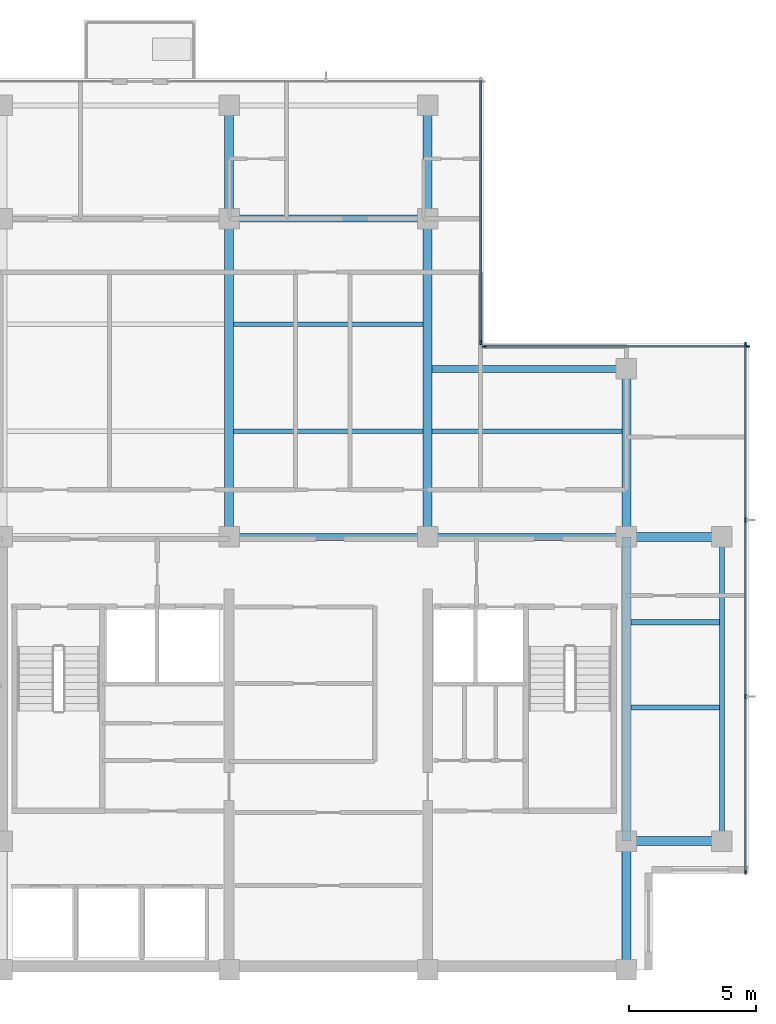
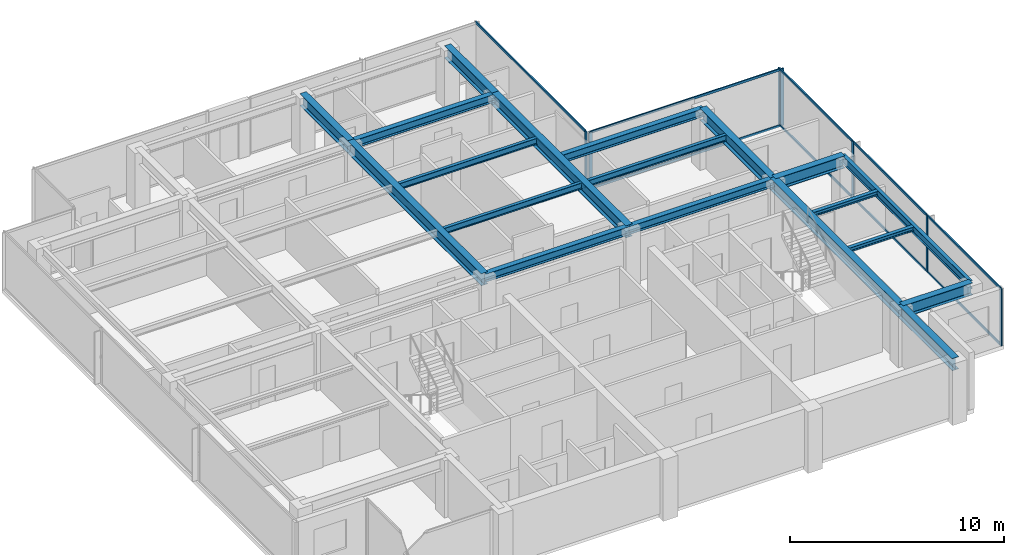
# One storey, part 3 of 11: 19 beams, 17 members, 3 elements without a shape of their own.
"""IFC4 building model written with IfcOpenShell, lengths in metres."""

from ifc_helpers import new_model, si_unit, direction, frame, origin, origin_2d, place, context, subcontext, project, spatial, rectangle, i_section, extrude, material, layer, layer_set, material_profile, profile_set, type_object, element, aggregate, save


model = new_model("IFC4")

# Units and contexts
model_context = context("Model", 3, precision=1e-05, world=origin(), true_north=direction((0.0, 1.0)))
body_context = subcontext(model_context, "Body", "Model", "MODEL_VIEW")
ifc_project = project(units=[si_unit("LENGTHUNIT", "METRE"), si_unit("AREAUNIT", "SQUARE_METRE"), si_unit("VOLUMEUNIT", "CUBIC_METRE"), si_unit("PLANEANGLEUNIT", "RADIAN"), si_unit("MASSUNIT", "GRAM", prefix="KILO")], contexts=[model_context])

# Site, building, storey
site_placement = place(None, origin())
site = spatial("IfcSite", under=ifc_project, at=site_placement, CompositionType="ELEMENT")
building_placement = place(site_placement, origin())
building = spatial("IfcBuilding", under=site, at=building_placement, Name="Qalmaran Belvedere Hotel", CompositionType="ELEMENT")
storey_placement = place(building_placement, frame((0.0, 0.0, 245.89990234375)))
storey = spatial("IfcBuildingStorey", under=building, at=storey_placement, Name="L63", CompositionType="ELEMENT", Elevation=245.89990234375)

# Beams
ifc_material_1 = material(Name="Steel S355JR", Category="steel")
ifc_material_profile_1 = material_profile(ifc_material_1, i_section(OverallWidth=0.201904296875, OverallDepth=0.2470703125, WebThickness=0.00732421875, FlangeThickness=0.010986328125, FilletRadius=0.011962890625, at=origin_2d()), Name="W250X49")
ifc_profile_set_1 = profile_set([ifc_material_profile_1], Name="Steel S355JR")
beam_type_1 = type_object("IfcBeamType", Name="BM-JST-W250X49", PredefinedType="JOIST", material=ifc_profile_set_1)
for number, where, z_axis, x_axis, name in (
    (1, (44.9755859375, 13.800048828125, 3.13671875), (1.0, 0.0, 0.0), (0.0, 1.0, 0.0), "L63 East Wing Joist 032"),
    (2, (44.9755859375, 17.14990234375, 3.13671875), (1.0, 0.0, 0.0), (0.0, 1.0, 0.0), "L63 East Wing Joist 034"),
):
    element("IfcBeam", number, at=place(storey_placement, frame(where, z_axis=z_axis, x_axis=x_axis)), inside=storey, type_object=beam_type_1, Name=name, PredefinedType="JOIST", context=body_context, shape_type="SweptSolid", body=[
        extrude(i_section(OverallWidth=0.201904296875, OverallDepth=0.2470703125, WebThickness=0.00732421875, FlangeThickness=0.010986328125, FilletRadius=0.011962890625, at=origin_2d()), origin(), (0.0, 0.0, 1.0), 3.48046875),
    ])
ifc_material_profile_2 = material_profile(ifc_material_1, i_section(OverallWidth=0.172119140625, OverallDepth=0.35791015625, WebThickness=0.0078125, FlangeThickness=0.01318359375, FilletRadius=0.014892578125, at=origin_2d()), Name="W360X57")
ifc_profile_set_2 = profile_set([ifc_material_profile_2], Name="Steel S355JR")
beam_type_2 = type_object("IfcBeamType", Name="BM-SB4-W360X57", PredefinedType="BEAM", material=ifc_profile_set_2)
for number, where, z_axis, x_axis, name in (
    (3, (29.37548828125, 24.64990234375, 3.0810546875), (1.0, 0.0, 0.0), (0.0, 1.0, 0.0), "L63 Secondary Floor Beam 026"),
    (4, (37.175537109375, 24.64990234375, 3.0810546875), (1.0, 0.0, 0.0), (0.0, 1.0, 0.0), "L63 Secondary Floor Beam 027"),
    (5, (29.37548828125, 28.85009765625, 3.0810546875), (1.0, 0.0, 0.0), (0.0, 1.0, 0.0), "L63 Secondary Floor Beam 030"),
):
    element("IfcBeam", number, at=place(storey_placement, frame(where, z_axis=z_axis, x_axis=x_axis)), inside=storey, type_object=beam_type_2, Name=name, PredefinedType="BEAM", context=body_context, shape_type="SweptSolid", body=[
        extrude(i_section(OverallWidth=0.172119140625, OverallDepth=0.35791015625, WebThickness=0.0078125, FlangeThickness=0.01318359375, FilletRadius=0.014892578125, at=origin_2d()), origin(), (0.0, 0.0, 1.0), 7.448974609375),
    ])
ifc_material_profile_3 = material_profile(ifc_material_1, i_section(OverallWidth=0.19189453125, OverallDepth=0.462890625, WebThickness=0.010498046875, FlangeThickness=0.017578125, FilletRadius=0.01611328125, at=origin_2d()), Name="W460X89")
ifc_profile_set_3 = profile_set([ifc_material_profile_3], Name="Steel S355JR")
beam_type_3 = type_object("IfcBeamType", Name="BM-SP2-W460X89", PredefinedType="SPANDREL", material=ifc_profile_set_3)
beam_1_placement = place(storey_placement, frame((48.550048828125, 8.550048828125, 3.028564453125), z_axis=(0.0, 1.0, 0.0), x_axis=(-1.0, 0.0, 0.0)))
element("IfcBeam", 6, at=beam_1_placement, inside=storey, type_object=beam_type_3, Name="L63 Perimeter Spandrel 03", PredefinedType="SPANDREL", context=body_context, shape_type="SweptSolid", body=[
    extrude(i_section(OverallWidth=0.19189453125, OverallDepth=0.462890625, WebThickness=0.010498046875, FlangeThickness=0.017578125, FilletRadius=0.01611328125, at=origin_2d()), origin(), (0.0, 0.0, 1.0), 11.949951171875),
])
ifc_material_profile_4 = material_profile(ifc_material_1, i_section(OverallWidth=0.35498046875, OverallDepth=0.695068359375, WebThickness=0.015380859375, FlangeThickness=0.02490234375, FilletRadius=0.02197265625, at=origin_2d()), Name="W690X217")
ifc_profile_set_4 = profile_set([ifc_material_profile_4], Name="Steel S355JR")
beam_type_4 = type_object("IfcBeamType", Name="BM-Z1-W690X217", PredefinedType="USERDEFINED", material=ifc_profile_set_4)
beam_2_placement = place(storey_placement, frame((29.199951171875, 20.5, 2.91259765625), z_axis=(0.0, 1.0, 0.0), x_axis=(-1.0, 0.0, 0.0)))
element("IfcBeam", 7, at=beam_2_placement, inside=storey, type_object=beam_type_4, Name="L63 Mid-Plate N-S Girder 13", ObjectType="GIRDER", PredefinedType="USERDEFINED", context=body_context, shape_type="SweptSolid", body=[
    extrude(i_section(OverallWidth=0.35498046875, OverallDepth=0.695068359375, WebThickness=0.015380859375, FlangeThickness=0.02490234375, FilletRadius=0.02197265625, at=origin_2d()), origin(), (0.0, 0.0, 1.0), 12.5),
])
beam_3_placement = place(storey_placement, frame((29.199951171875, 33.0, 2.91259765625), z_axis=(0.0, 1.0, 0.0), x_axis=(-1.0, 0.0, 0.0)))
element("IfcBeam", 8, at=beam_3_placement, inside=storey, type_object=beam_type_4, Name="L63 North Bay Girder 14", ObjectType="GIRDER", PredefinedType="USERDEFINED", context=body_context, shape_type="SweptSolid", body=[
    extrude(i_section(OverallWidth=0.35498046875, OverallDepth=0.695068359375, WebThickness=0.015380859375, FlangeThickness=0.02490234375, FilletRadius=0.02197265625, at=origin_2d()), origin(), (0.0, 0.0, 1.0), 4.449951171875),
])
beam_4_placement = place(storey_placement, frame((37.0, 20.5, 2.91259765625), z_axis=(0.0, 1.0, 0.0), x_axis=(-1.0, 0.0, 0.0)))
element("IfcBeam", 9, at=beam_4_placement, inside=storey, type_object=beam_type_4, Name="L63 Mid-Plate N-S Girder 15", ObjectType="GIRDER", PredefinedType="USERDEFINED", context=body_context, shape_type="SweptSolid", body=[
    extrude(i_section(OverallWidth=0.35498046875, OverallDepth=0.695068359375, WebThickness=0.015380859375, FlangeThickness=0.02490234375, FilletRadius=0.02197265625, at=origin_2d()), origin(), (0.0, 0.0, 1.0), 12.5),
])
beam_5_placement = place(storey_placement, frame((37.0, 33.0, 2.91259765625), z_axis=(0.0, 1.0, 0.0), x_axis=(-1.0, 0.0, 0.0)))
element("IfcBeam", 10, at=beam_5_placement, inside=storey, type_object=beam_type_4, Name="L63 North Bay Girder 16", ObjectType="GIRDER", PredefinedType="USERDEFINED", context=body_context, shape_type="SweptSolid", body=[
    extrude(i_section(OverallWidth=0.35498046875, OverallDepth=0.695068359375, WebThickness=0.015380859375, FlangeThickness=0.02490234375, FilletRadius=0.02197265625, at=origin_2d()), origin(), (0.0, 0.0, 1.0), 4.449951171875),
])
beam_6_placement = place(storey_placement, frame((44.800048828125, 20.5, 2.91259765625), z_axis=(0.0, 1.0, 0.0), x_axis=(-1.0, 0.0, 0.0)))
element("IfcBeam", 11, at=beam_6_placement, inside=storey, type_object=beam_type_4, Name="L63 Mid-Plate N-S Girder 17", ObjectType="GIRDER", PredefinedType="USERDEFINED", context=body_context, shape_type="SweptSolid", body=[
    extrude(i_section(OverallWidth=0.35498046875, OverallDepth=0.695068359375, WebThickness=0.015380859375, FlangeThickness=0.02490234375, FilletRadius=0.02197265625, at=origin_2d()), origin(), (0.0, 0.0, 1.0), 6.60009765625),
])
beam_7_placement = place(storey_placement, frame((44.800048828125, 3.5, 2.91259765625), z_axis=(0.0, 1.0, 0.0), x_axis=(-1.0, 0.0, 0.0)))
element("IfcBeam", 12, at=beam_7_placement, inside=storey, type_object=beam_type_4, Name="L63 East Core Edge Girder A", ObjectType="GIRDER", PredefinedType="USERDEFINED", context=body_context, shape_type="SweptSolid", body=[
    extrude(i_section(OverallWidth=0.35498046875, OverallDepth=0.695068359375, WebThickness=0.015380859375, FlangeThickness=0.02490234375, FilletRadius=0.02197265625, at=origin_2d()), origin(), (0.0, 0.0, 1.0), 5.050048828125),
])
beam_8_placement = place(storey_placement, frame((44.800048828125, 8.550048828125, 2.91259765625), z_axis=(0.0, 1.0, 0.0), x_axis=(-1.0, 0.0, 0.0)))
element("IfcBeam", 13, at=beam_8_placement, inside=storey, type_object=beam_type_4, Name="L63 East Core Edge Girder B", ObjectType="GIRDER", PredefinedType="USERDEFINED", context=body_context, shape_type="SweptSolid", body=[
    extrude(i_section(OverallWidth=0.35498046875, OverallDepth=0.695068359375, WebThickness=0.015380859375, FlangeThickness=0.02490234375, FilletRadius=0.02197265625, at=origin_2d()), origin(), (0.0, 0.0, 1.0), 11.949951171875),
])
for number, where, z_axis, x_axis, name in (
    (14, (44.800048828125, 8.550048828125, 2.91259765625), (1.0, 0.0, 0.0), (0.0, 1.0, 0.0), "L63 East Wing Girder 22"),
    (15, (44.800048828125, 20.5, 2.91259765625), (1.0, 0.0, 0.0), (0.0, 1.0, 0.0), "L63 East Wing Girder 23"),
):
    element("IfcBeam", number, at=place(storey_placement, frame(where, z_axis=z_axis, x_axis=x_axis)), inside=storey, type_object=beam_type_4, Name=name, ObjectType="GIRDER", PredefinedType="USERDEFINED", context=body_context, shape_type="SweptSolid", body=[
        extrude(i_section(OverallWidth=0.35498046875, OverallDepth=0.695068359375, WebThickness=0.015380859375, FlangeThickness=0.02490234375, FilletRadius=0.02197265625, at=origin_2d()), origin(), (0.0, 0.0, 1.0), 3.75),
    ])
ifc_material_profile_5 = material_profile(ifc_material_1, i_section(OverallWidth=0.280029296875, OverallDepth=0.462890625, WebThickness=0.0107421875, FlangeThickness=0.017333984375, FilletRadius=0.01611328125, at=origin_2d()), Name="W460X113")
ifc_profile_set_5 = profile_set([ifc_material_profile_5], Name="Steel S355JR")
beam_type_5 = type_object("IfcBeamType", Name="BM-Z5-W460X113", PredefinedType="USERDEFINED", material=ifc_profile_set_5)
for number, where, z_axis, x_axis, name in (
    (16, (29.199951171875, 20.5, 3.028564453125), (1.0, 0.0, 0.0), (0.0, 1.0, 0.0), "L63 Interior E-W Girder 07"),
    (17, (37.0, 20.5, 3.028564453125), (1.0, 0.0, 0.0), (0.0, 1.0, 0.0), "L63 Interior E-W Girder 08"),
    (18, (29.199951171875, 33.0, 3.028564453125), (1.0, 0.0, 0.0), (0.0, 1.0, 0.0), "L63 Interior E-W Girder 10"),
):
    element("IfcBeam", number, at=place(storey_placement, frame(where, z_axis=z_axis, x_axis=x_axis)), inside=storey, type_object=beam_type_5, Name=name, ObjectType="GIRDER", PredefinedType="USERDEFINED", context=body_context, shape_type="SweptSolid", body=[
        extrude(i_section(OverallWidth=0.280029296875, OverallDepth=0.462890625, WebThickness=0.0107421875, FlangeThickness=0.017333984375, FilletRadius=0.01611328125, at=origin_2d()), origin(), (0.0, 0.0, 1.0), 7.800048828125),
    ])
beam_9_placement = place(storey_placement, frame((37.175537109375, 27.10009765625, 3.028564453125), z_axis=(1.0, 0.0, 0.0), x_axis=(0.0, 1.0, 0.0)))
element("IfcBeam", 19, at=beam_9_placement, inside=storey, type_object=beam_type_5, Name="L63 North-East Notch Rim Girder", ObjectType="GIRDER", PredefinedType="USERDEFINED", context=body_context, shape_type="SweptSolid", body=[
    extrude(i_section(OverallWidth=0.280029296875, OverallDepth=0.462890625, WebThickness=0.0107421875, FlangeThickness=0.017333984375, FilletRadius=0.01611328125, at=origin_2d()), origin(), (0.0, 0.0, 1.0), 7.62451171875),
])

# Curtain wall, members
ifc_material_2 = material(Name="Anodised Bronze Aluminium", Category="aluminium")
ifc_layer = layer(ifc_material_2, 0.18505859375, Name="Anodised Bronze Aluminium")
ifc_layer_set = layer_set([ifc_layer], Name="Anodised Bronze Aluminium")
curtain_wall_type = type_object("IfcCurtainWallType", Name="CW6-TOWER-SKY", PredefinedType="NOTDEFINED", material=ifc_layer_set)
curtain_wall_1_placement = place(storey_placement, origin())
curtain_wall_1 = element("IfcCurtainWall", 20, at=curtain_wall_1_placement, inside=storey, type_object=curtain_wall_type, Name="L63 Curtain Wall CW6", PredefinedType="NOTDEFINED")
ifc_material_profile_6 = material_profile(ifc_material_2, rectangle(XDim=0.06494140625, YDim=0.1650390625, at=origin_2d()), Name="CWM65X165")
ifc_profile_set_6 = profile_set([ifc_material_profile_6], Name="Anodised Bronze Aluminium")
member_type_1 = type_object("IfcMemberType", Name="CWM-65X165", PredefinedType="MULLION", material=ifc_profile_set_6)
member_1_placement = place(storey_placement, frame((49.47998046875, 7.33251953125, 0.0), z_axis=(0.0, 0.0, 1.0), x_axis=(-1.0, 0.0, 0.0)))
member_1 = element("IfcMember", 21, at=member_1_placement, type_object=member_type_1, Name="CW6 mullion 1", PredefinedType="MULLION", context=body_context, shape_type="SweptSolid", body=[
    extrude(rectangle(XDim=0.06494140625, YDim=0.1650390625, at=origin_2d()), origin(), (0.0, 0.0, 1.0), 3.260009765625),
])
member_2_placement = place(storey_placement, frame((49.47998046875, 14.2333984375, 0.0), z_axis=(0.0, 0.0, 1.0), x_axis=(-1.0, 0.0, 0.0)))
member_2 = element("IfcMember", 22, at=member_2_placement, type_object=member_type_1, Name="CW6 mullion 2", PredefinedType="MULLION", context=body_context, shape_type="SweptSolid", body=[
    extrude(rectangle(XDim=0.06494140625, YDim=0.1650390625, at=origin_2d()), origin(), (0.0, 0.0, 1.0), 3.260009765625),
])
member_3_placement = place(storey_placement, frame((49.47998046875, 21.166748046875, 0.0), z_axis=(0.0, 0.0, 1.0), x_axis=(-1.0, 0.0, 0.0)))
member_3 = element("IfcMember", 23, at=member_3_placement, type_object=member_type_1, Name="CW6 mullion 3", PredefinedType="MULLION", context=body_context, shape_type="SweptSolid", body=[
    extrude(rectangle(XDim=0.06494140625, YDim=0.1650390625, at=origin_2d()), origin(), (0.0, 0.0, 1.0), 3.260009765625),
])
member_4_placement = place(storey_placement, frame((49.47998046875, 28.0673828125, 0.0), z_axis=(0.0, 0.0, 1.0), x_axis=(-1.0, 0.0, 0.0)))
member_4 = element("IfcMember", 24, at=member_4_placement, type_object=member_type_1, Name="CW6 mullion 4", PredefinedType="MULLION", context=body_context, shape_type="SweptSolid", body=[
    extrude(rectangle(XDim=0.06494140625, YDim=0.1650390625, at=origin_2d()), origin(), (0.0, 0.0, 1.0), 3.260009765625),
])

curtain_wall_2_placement = place(storey_placement, origin())
curtain_wall_2 = element("IfcCurtainWall", 25, at=curtain_wall_2_placement, inside=storey, type_object=curtain_wall_type, Name="L63 Curtain Wall CW6", PredefinedType="NOTDEFINED")
member_5_placement = place(storey_placement, frame((49.5673828125, 27.97998046875, 0.0), z_axis=(0.0, 0.0, 1.0), x_axis=(0.0, -1.0, 0.0)))
member_5 = element("IfcMember", 26, at=member_5_placement, type_object=member_type_1, Name="CW6 mullion 1", PredefinedType="MULLION", context=body_context, shape_type="SweptSolid", body=[
    extrude(rectangle(XDim=0.06494140625, YDim=0.1650390625, at=origin_2d()), origin(), (0.0, 0.0, 1.0), 3.260009765625),
])
member_6_placement = place(storey_placement, frame((39.232421875, 27.97998046875, 0.0), z_axis=(0.0, 0.0, 1.0), x_axis=(0.0, -1.0, 0.0)))
member_6 = element("IfcMember", 27, at=member_6_placement, type_object=member_type_1, Name="CW6 mullion 2", PredefinedType="MULLION", context=body_context, shape_type="SweptSolid", body=[
    extrude(rectangle(XDim=0.06494140625, YDim=0.1650390625, at=origin_2d()), origin(), (0.0, 0.0, 1.0), 3.260009765625),
])

# Curtain wall, member
curtain_wall_3_placement = place(storey_placement, origin())
curtain_wall_3 = element("IfcCurtainWall", 28, at=curtain_wall_3_placement, inside=storey, type_object=curtain_wall_type, Name="L63 Curtain Wall CW6", PredefinedType="NOTDEFINED")
member_7_placement = place(storey_placement, frame((39.080078125, 28.132568359375, 0.0), z_axis=(0.0, 0.0, 1.0), x_axis=(-1.0, 0.0, 0.0)))
member_7 = element("IfcMember", 29, at=member_7_placement, type_object=member_type_1, Name="CW6 mullion 1", PredefinedType="MULLION", context=body_context, shape_type="SweptSolid", body=[
    extrude(rectangle(XDim=0.06494140625, YDim=0.1650390625, at=origin_2d()), origin(), (0.0, 0.0, 1.0), 3.260009765625),
])

# Member
ifc_material_profile_7 = material_profile(ifc_material_2, rectangle(XDim=0.06494140625, YDim=0.1298828125, at=origin_2d()), Name="CWT65X130")
ifc_profile_set_7 = profile_set([ifc_material_profile_7], Name="Anodised Bronze Aluminium")
member_type_2 = type_object("IfcMemberType", Name="CWT-65X130", PredefinedType="USERDEFINED", material=ifc_profile_set_7)
member_8_placement = place(storey_placement, frame((49.47998046875, 7.364990234375, 0.03271484375), z_axis=(0.0, 1.0, 0.0), x_axis=(-1.0, 0.0, 0.0)))
member_8 = element("IfcMember", 30, at=member_8_placement, type_object=member_type_2, Name="CW6 transom 1.1", ObjectType="TRANSOM", PredefinedType="USERDEFINED", context=body_context, shape_type="SweptSolid", body=[
    extrude(rectangle(XDim=0.06494140625, YDim=0.1298828125, at=origin_2d()), origin(), (0.0, 0.0, 1.0), 6.8359375),
])

member_9_placement = place(storey_placement, frame((49.47998046875, 7.364990234375, 3.2275390625), z_axis=(0.0, 1.0, 0.0), x_axis=(-1.0, 0.0, 0.0)))
member_9 = element("IfcMember", 31, at=member_9_placement, type_object=member_type_2, Name="CW6 transom 1.2", ObjectType="TRANSOM", PredefinedType="USERDEFINED", context=body_context, shape_type="SweptSolid", body=[
    extrude(rectangle(XDim=0.06494140625, YDim=0.1298828125, at=origin_2d()), origin(), (0.0, 0.0, 1.0), 6.8359375),
])

member_10_placement = place(storey_placement, frame((49.47998046875, 14.265869140625, 0.03271484375), z_axis=(0.0, 1.0, 0.0), x_axis=(-1.0, 0.0, 0.0)))
member_10 = element("IfcMember", 32, at=member_10_placement, type_object=member_type_2, Name="CW6 transom 2.1", ObjectType="TRANSOM", PredefinedType="USERDEFINED", context=body_context, shape_type="SweptSolid", body=[
    extrude(rectangle(XDim=0.06494140625, YDim=0.1298828125, at=origin_2d()), origin(), (0.0, 0.0, 1.0), 6.868408203125),
])

member_11_placement = place(storey_placement, frame((49.47998046875, 14.265869140625, 3.2275390625), z_axis=(0.0, 1.0, 0.0), x_axis=(-1.0, 0.0, 0.0)))
member_11 = element("IfcMember", 33, at=member_11_placement, type_object=member_type_2, Name="CW6 transom 2.2", ObjectType="TRANSOM", PredefinedType="USERDEFINED", context=body_context, shape_type="SweptSolid", body=[
    extrude(rectangle(XDim=0.06494140625, YDim=0.1298828125, at=origin_2d()), origin(), (0.0, 0.0, 1.0), 6.868408203125),
])

member_12_placement = place(storey_placement, frame((49.47998046875, 21.19921875, 0.03271484375), z_axis=(0.0, 1.0, 0.0), x_axis=(-1.0, 0.0, 0.0)))
member_12 = element("IfcMember", 34, at=member_12_placement, type_object=member_type_2, Name="CW6 transom 3.1", ObjectType="TRANSOM", PredefinedType="USERDEFINED", context=body_context, shape_type="SweptSolid", body=[
    extrude(rectangle(XDim=0.06494140625, YDim=0.1298828125, at=origin_2d()), origin(), (0.0, 0.0, 1.0), 6.835693359375),
])

member_13_placement = place(storey_placement, frame((49.47998046875, 21.19921875, 3.2275390625), z_axis=(0.0, 1.0, 0.0), x_axis=(-1.0, 0.0, 0.0)))
member_13 = element("IfcMember", 35, at=member_13_placement, type_object=member_type_2, Name="CW6 transom 3.2", ObjectType="TRANSOM", PredefinedType="USERDEFINED", context=body_context, shape_type="SweptSolid", body=[
    extrude(rectangle(XDim=0.06494140625, YDim=0.1298828125, at=origin_2d()), origin(), (0.0, 0.0, 1.0), 6.835693359375),
])

aggregate(curtain_wall_1, [member_1, member_2, member_3, member_4, member_8, member_9, member_10, member_11, member_12, member_13])

member_14_placement = place(storey_placement, frame((49.534912109375, 27.97998046875, 0.03271484375), z_axis=(-1.0, 0.0, 0.0), x_axis=(0.0, -1.0, 0.0)))
member_14 = element("IfcMember", 36, at=member_14_placement, type_object=member_type_2, Name="CW6 transom 1.1", ObjectType="TRANSOM", PredefinedType="USERDEFINED", context=body_context, shape_type="SweptSolid", body=[
    extrude(rectangle(XDim=0.06494140625, YDim=0.1298828125, at=origin_2d()), origin(), (0.0, 0.0, 1.0), 10.27001953125),
])

member_15_placement = place(storey_placement, frame((49.534912109375, 27.97998046875, 3.2275390625), z_axis=(-1.0, 0.0, 0.0), x_axis=(0.0, -1.0, 0.0)))
member_15 = element("IfcMember", 37, at=member_15_placement, type_object=member_type_2, Name="CW6 transom 1.2", ObjectType="TRANSOM", PredefinedType="USERDEFINED", context=body_context, shape_type="SweptSolid", body=[
    extrude(rectangle(XDim=0.06494140625, YDim=0.1298828125, at=origin_2d()), origin(), (0.0, 0.0, 1.0), 10.27001953125),
])

aggregate(curtain_wall_2, [member_5, member_6, member_14, member_15])

member_16_placement = place(storey_placement, frame((39.080078125, 28.1650390625, 0.03271484375), z_axis=(0.0, 1.0, 0.0), x_axis=(-1.0, 0.0, 0.0)))
member_16 = element("IfcMember", 38, at=member_16_placement, type_object=member_type_2, Name="CW6 transom 1.1", ObjectType="TRANSOM", PredefinedType="USERDEFINED", context=body_context, shape_type="SweptSolid", body=[
    extrude(rectangle(XDim=0.06494140625, YDim=0.1298828125, at=origin_2d()), origin(), (0.0, 0.0, 1.0), 10.27001953125),
])

member_17_placement = place(storey_placement, frame((39.080078125, 28.1650390625, 3.2275390625), z_axis=(0.0, 1.0, 0.0), x_axis=(-1.0, 0.0, 0.0)))
member_17 = element("IfcMember", 39, at=member_17_placement, type_object=member_type_2, Name="CW6 transom 1.2", ObjectType="TRANSOM", PredefinedType="USERDEFINED", context=body_context, shape_type="SweptSolid", body=[
    extrude(rectangle(XDim=0.06494140625, YDim=0.1298828125, at=origin_2d()), origin(), (0.0, 0.0, 1.0), 10.27001953125),
])

aggregate(curtain_wall_3, [member_7, member_16, member_17])

save(model, "model.ifc")
